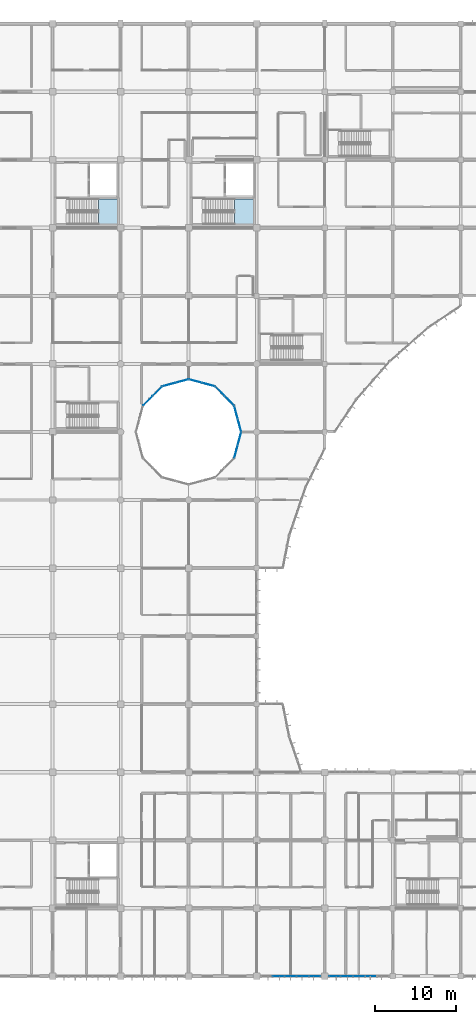
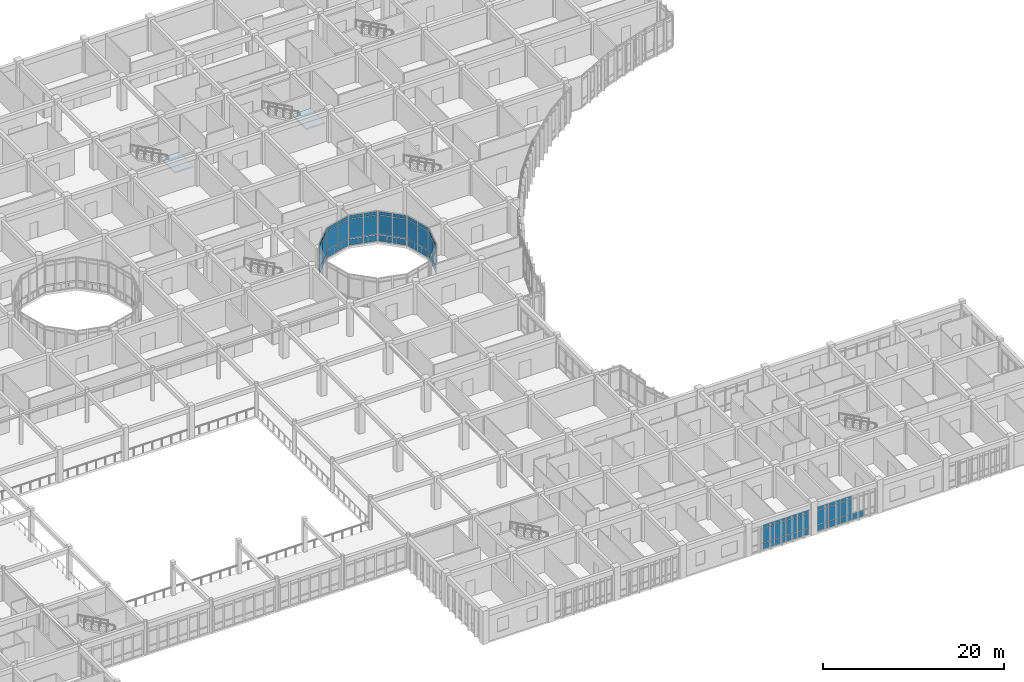
# One storey, part 83 of 144: 58 plates, 2 slabs, 10 elements without a shape of their own.
"""IFC4 building model written with IfcOpenShell, lengths in metres."""

import ifcopenshell
import ifcopenshell.guid

model = None  # the IFC model being written
_history = None  # IfcOwnerHistory: only IFC2X3 demands one
_inside = {}  # id of a spatial element -> (the spatial element, [elements in it])
_under = {}  # id of a project, library or spatial element -> (it, [spatial elements below it])
_declared = {}  # id of a project -> (the project, [libraries it declares])
_typed = {}  # id of a type object -> (the type object, [elements of that type])
_made_of = {}  # id of a material, layer set ... -> (it, [elements and type objects made of it])


def new_model(schema):
    """Start an empty IFC model of exactly this schema.

    Asked for "IFC4X3", IfcOpenShell would pick the latest addendum, in which some entities
    have other attributes; the version numbers below select the first issue.
    IFC2X3 requires an IfcOwnerHistory on every rooted entity: one is made here for all.
    """
    global model, _history
    if schema == "IFC4X3":
        model = ifcopenshell.file(schema_version=(4, 3, 0, 0))
    else:
        model = ifcopenshell.file(schema=schema)
    _inside.clear()
    _under.clear()
    _declared.clear()
    _typed.clear()
    _made_of.clear()
    _history = None
    if model.schema == "IFC2X3":
        org = make("IfcOrganization", Name="unknown")
        user = make(
            "IfcPersonAndOrganization",
            ThePerson=make("IfcPerson", FamilyName="unknown"),
            TheOrganization=org,
        )
        app = make(
            "IfcApplication",
            ApplicationDeveloper=org,
            Version="unknown",
            ApplicationFullName="unknown",
            ApplicationIdentifier="unknown",
        )
        _history = make(
            "IfcOwnerHistory",
            OwningUser=user,
            OwningApplication=app,
            ChangeAction="ADDED",
            CreationDate=0,
        )
    return model


def make(cls, **values):
    """One entity of the class cls with the attributes given. An attribute that is None is left unset."""
    return model.create_entity(
        cls, **{name: value for name, value in values.items() if value is not None}
    )


def rooted(cls, **values):
    """An entity with a GlobalId (a new one), such as an element, a storey or a relation."""
    return make(cls, GlobalId=ifcopenshell.guid.new(), OwnerHistory=_history, **values)


def si_unit(unit_type, name, prefix=None):
    """IfcSIUnit, for example si_unit("LENGTHUNIT", "METRE", prefix="MILLI")."""
    return make("IfcSIUnit", UnitType=unit_type, Prefix=prefix, Name=name)


def assignment(units):
    """IfcUnitAssignment: the units of a project."""
    return None if units is None else make("IfcUnitAssignment", Units=units)


def point(xyz):
    """IfcCartesianPoint."""
    return None if xyz is None else make("IfcCartesianPoint", Coordinates=xyz)


def direction(xyz):
    """IfcDirection."""
    return None if xyz is None else make("IfcDirection", DirectionRatios=xyz)


def frame(location, z_axis=None, x_axis=None):
    """IfcAxis2Placement3D, a coordinate frame: its origin and axes. An axis left out is left unset."""
    return make(
        "IfcAxis2Placement3D",
        Location=point(location),
        Axis=direction(z_axis),
        RefDirection=direction(x_axis),
    )


def frame_2d(location, x_axis=None):
    """IfcAxis2Placement2D, a coordinate frame in the plane: its origin and x axis."""
    return make(
        "IfcAxis2Placement2D", Location=point(location), RefDirection=direction(x_axis)
    )


def origin():
    """The frame at (0, 0, 0) with its axes left unset."""
    return frame((0.0, 0.0, 0.0))


def origin_2d():
    """The frame at (0, 0) in the plane with its x axis left unset."""
    return frame_2d((0.0, 0.0))


def place(relative_to, where):
    """IfcLocalPlacement: puts the frame where relative to a parent placement (None: the world)."""
    return make(
        "IfcLocalPlacement", PlacementRelTo=relative_to, RelativePlacement=where
    )


def context(
    kind, dimensions, precision=None, world=None, true_north=None, identifier=None
):
    """IfcGeometricRepresentationContext, for example the 3D "Model" context."""
    return make(
        "IfcGeometricRepresentationContext",
        ContextIdentifier=identifier,
        ContextType=kind,
        CoordinateSpaceDimension=dimensions,
        Precision=precision,
        WorldCoordinateSystem=world,
        TrueNorth=true_north,
    )


def subcontext(parent, identifier, kind, view, scale=None):
    """IfcGeometricRepresentationSubContext, for example "Body" below "Model"."""
    return make(
        "IfcGeometricRepresentationSubContext",
        ContextIdentifier=identifier,
        ContextType=kind,
        ParentContext=parent,
        TargetScale=scale,
        TargetView=view,
    )


def project(units=None, contexts=None):
    """IfcProject with its units and contexts."""
    return rooted(
        "IfcProject",
        Name="project",
        RepresentationContexts=contexts,
        UnitsInContext=assignment(units),
    )


def spatial(cls, under=None, at=None, **own):
    """A site, building, storey or space (cls), placed at a placement, below another one or the project."""
    s = rooted(cls, ObjectPlacement=at, **own)
    if under is not None:
        _under.setdefault(under.id(), (under, []))[1].append(s)
    return s


def polyline(points):
    """IfcPolyline through the points."""
    return make("IfcPolyline", Points=[point(p) for p in points])


def profile(cls, at=None, kind="AREA", **sizes):
    """A parametric profile (cls). Its sizes go by their IFC names, for example OverallWidth=200.0."""
    return make(cls, ProfileType=kind, Position=at, **sizes)


def rectangle(**sizes):
    """IfcRectangleProfileDef."""
    return profile("IfcRectangleProfileDef", **sizes)


def outline(outer, holes=None, kind="AREA"):
    """IfcArbitraryClosedProfileDef: a profile drawn as a closed curve; with holes, ...WithVoids."""
    if holes is None:
        return make("IfcArbitraryClosedProfileDef", ProfileType=kind, OuterCurve=outer)
    return make(
        "IfcArbitraryProfileDefWithVoids",
        ProfileType=kind,
        OuterCurve=outer,
        InnerCurves=holes,
    )


def extrude(swept, where, along, depth):
    """IfcExtrudedAreaSolid: the profile swept, set in the frame where, extruded along a direction by depth."""
    return make(
        "IfcExtrudedAreaSolid",
        SweptArea=swept,
        Position=where,
        ExtrudedDirection=direction(along),
        Depth=depth,
    )


def shape(context_of_items, identifier, shape_type, items):
    """IfcShapeRepresentation: the items that make up one representation, for example the "Body"."""
    return make(
        "IfcShapeRepresentation",
        ContextOfItems=context_of_items,
        RepresentationIdentifier=identifier,
        RepresentationType=shape_type,
        Items=items,
    )


def material(Name=None, Category=None):
    """IfcMaterial."""
    return make("IfcMaterial", Name=Name, Category=Category)


def layer(
    of_material, thickness, ventilated=None, Name=None, Category=None, Priority=None
):
    """IfcMaterialLayer: one layer of a wall or slab, of a material (None: an air gap)."""
    return make(
        "IfcMaterialLayer",
        Material=of_material,
        LayerThickness=thickness,
        IsVentilated=ventilated,
        Name=Name,
        Category=Category,
        Priority=Priority,
    )


def layer_set(layers, Name=None):
    """IfcMaterialLayerSet."""
    return make("IfcMaterialLayerSet", MaterialLayers=layers, LayerSetName=Name)


def made_of(thing, what):
    """Note that an element or type object is made of a material, layer set ...; save() writes the relation."""
    if what is not None:
        _made_of.setdefault(what.id(), (what, []))[1].append(thing)
    return thing


def type_object(cls, material=None, **own):
    """A type object (cls), such as IfcWallType, which elements share."""
    return made_of(rooted(cls, **own), material)


def element(
    cls,
    number,
    at=None,
    inside=None,
    cuts=None,
    type_object=None,
    material=None,
    context=None,
    identifier="Body",
    shape_type=None,
    held_by="IfcProductDefinitionShape",
    body=None,
    shapes=None,
    **own,
):
    """One element of the class cls, such as IfcWall. Its Tag is "e" and its number.

    at: its placement. inside: the storey or other place that contains it. cuts: it is an
    opening in that element (IfcRelVoidsElement). A single representation is given by context,
    identifier, shape_type and body (its items); several are given by shapes. held_by: the class
    of the entity that holds the representations. save() writes the other relations.
    """
    e = rooted(cls, Tag="e%d" % number, ObjectPlacement=at, **own)
    if body is not None:
        shapes = [shape(context, identifier, shape_type, body)]
    if shapes is not None:
        e.Representation = make(held_by, Representations=shapes)
    if inside is not None:
        _inside.setdefault(inside.id(), (inside, []))[1].append(e)
    if cuts is not None:
        rooted(
            "IfcRelVoidsElement", RelatingBuildingElement=cuts, RelatedOpeningElement=e
        )
    if type_object is not None:
        _typed.setdefault(type_object.id(), (type_object, []))[1].append(e)
    return made_of(e, material)


def aggregate(whole, parts):
    """IfcRelAggregates: a whole, such as a stair, and the parts it consists of."""
    return rooted("IfcRelAggregates", RelatingObject=whole, RelatedObjects=parts)


def save(model, path):
    """Write the relations noted so far, then the file.

    IfcRelAggregates (storeys below a building ...), IfcRelContainedInSpatialStructure (elements
    in a storey), IfcRelDefinesByType, IfcRelAssociatesMaterial and IfcRelDeclares: one each for
    every whole, place, type object, material and project.
    """
    for whole, parts in _under.values():
        aggregate(whole, parts)
    for where, things in _inside.values():
        rooted(
            "IfcRelContainedInSpatialStructure",
            RelatedElements=things,
            RelatingStructure=where,
        )
    for kind, things in _typed.values():
        rooted("IfcRelDefinesByType", RelatedObjects=things, RelatingType=kind)
    for what, things in _made_of.values():
        rooted("IfcRelAssociatesMaterial", RelatedObjects=things, RelatingMaterial=what)
    for by, libraries in _declared.values():
        rooted("IfcRelDeclares", RelatingContext=by, RelatedDefinitions=libraries)
    model.write(path)


model = new_model("IFC4")

# Units and contexts
model_context = context("Model", 3, precision=1e-05, world=origin(), true_north=direction((0.0, 1.0)))
body_context = subcontext(model_context, "Body", "Model", "MODEL_VIEW")
ifc_project = project(units=[si_unit("LENGTHUNIT", "METRE"), si_unit("AREAUNIT", "SQUARE_METRE"), si_unit("VOLUMEUNIT", "CUBIC_METRE"), si_unit("PLANEANGLEUNIT", "RADIAN"), si_unit("MASSUNIT", "GRAM", prefix="KILO")], contexts=[model_context])

# Site, building, storey
site_placement = place(None, origin())
site = spatial("IfcSite", under=ifc_project, at=site_placement, CompositionType="ELEMENT")
building_placement = place(site_placement, origin())
building = spatial("IfcBuilding", under=site, at=building_placement, Name="Bramfleet General Hospital", CompositionType="ELEMENT")
storey_placement = place(building_placement, frame((0.0, 0.0, 4.800048828125)))
storey = spatial("IfcBuildingStorey", under=building, at=storey_placement, Name="L01", CompositionType="ELEMENT", Elevation=4.800048828125)

# Curtain wall, plates
ifc_material_1 = material(Name="Anodised aluminium and low-E triple glazing", Category="aluminium")
ifc_layer_1 = layer(ifc_material_1, 0.179931640625, Name="CWT-CW-01")
ifc_layer_set_1 = layer_set([ifc_layer_1], Name="Anodised aluminium and low-E triple glazing")
curtain_wall_type_1 = type_object("IfcCurtainWallType", Name="CWT-CW-01", PredefinedType="USERDEFINED", material=ifc_layer_set_1)
curtain_wall_1_placement = place(storey_placement, origin())
curtain_wall_1 = element("IfcCurtainWall", 1, at=curtain_wall_1_placement, inside=storey, type_object=curtain_wall_type_1, Name="L01 Curtain Wall 73", ObjectType="Unitised curtain wall", PredefinedType="USERDEFINED")
ifc_material_2 = material(Name="Low-E laminated safety glass", Category="glass")
ifc_layer_2 = layer(ifc_material_2, 0.028076171875, Name="CWP-GLZ-1")
ifc_layer_set_2 = layer_set([ifc_layer_2], Name="Low-E laminated safety glass")
plate_type_1 = type_object("IfcPlateType", Name="CWP-GLZ-1", PredefinedType="CURTAIN_PANEL", material=ifc_layer_set_2)
plate_1_placement = place(storey_placement, frame((140.125, 0.0, 0.06494140625), z_axis=(0.0, 0.0, 1.0), x_axis=(-1.0, 0.0, 0.0)))
plate_1 = element("IfcPlate", 2, at=plate_1_placement, type_object=plate_type_1, Name="CW-01 panel 2.1", PredefinedType="CURTAIN_PANEL", context=body_context, shape_type="SweptSolid", body=[
    extrude(rectangle(XDim=1.429931640625, YDim=0.028076171875, at=origin_2d()), origin(), (0.0, 0.0, 1.0), 0.802490234375),
])
plate_2_placement = place(storey_placement, frame((138.625, 0.0, 0.06494140625), z_axis=(0.0, 0.0, 1.0), x_axis=(-1.0, 0.0, 0.0)))
plate_2 = element("IfcPlate", 3, at=plate_2_placement, type_object=plate_type_1, Name="CW-01 panel 3.1", PredefinedType="CURTAIN_PANEL", context=body_context, shape_type="SweptSolid", body=[
    extrude(rectangle(XDim=1.429931640625, YDim=0.028076171875, at=origin_2d()), origin(), (0.0, 0.0, 1.0), 0.802490234375),
])
plate_3_placement = place(storey_placement, frame((138.625, 0.0, 0.9326171875), z_axis=(0.0, 0.0, 1.0), x_axis=(-1.0, 0.0, 0.0)))
plate_3 = element("IfcPlate", 4, at=plate_3_placement, type_object=plate_type_1, Name="CW-01 panel 3.2", PredefinedType="CURTAIN_PANEL", context=body_context, shape_type="SweptSolid", body=[
    extrude(rectangle(XDim=1.429931640625, YDim=0.028076171875, at=origin_2d()), origin(), (0.0, 0.0, 1.0), 1.925048828125),
])
plate_4_placement = place(storey_placement, frame((138.625, 0.0, 2.92236328125), z_axis=(0.0, 0.0, 1.0), x_axis=(-1.0, 0.0, 0.0)))
plate_4 = element("IfcPlate", 5, at=plate_4_placement, type_object=plate_type_1, Name="CW-01 panel 3.3", PredefinedType="CURTAIN_PANEL", context=body_context, shape_type="SweptSolid", body=[
    extrude(rectangle(XDim=1.429931640625, YDim=0.028076171875, at=origin_2d()), origin(), (0.0, 0.0, 1.0), 0.452392578125),
])
plate_5_placement = place(storey_placement, frame((137.125, 0.0, 0.06494140625), z_axis=(0.0, 0.0, 1.0), x_axis=(-1.0, 0.0, 0.0)))
plate_5 = element("IfcPlate", 6, at=plate_5_placement, type_object=plate_type_1, Name="CW-01 panel 4.1", PredefinedType="CURTAIN_PANEL", context=body_context, shape_type="SweptSolid", body=[
    extrude(rectangle(XDim=1.429931640625, YDim=0.028076171875, at=origin_2d()), origin(), (0.0, 0.0, 1.0), 0.802490234375),
])
plate_6_placement = place(storey_placement, frame((137.125, 0.0, 0.9326171875), z_axis=(0.0, 0.0, 1.0), x_axis=(-1.0, 0.0, 0.0)))
plate_6 = element("IfcPlate", 7, at=plate_6_placement, type_object=plate_type_1, Name="CW-01 panel 4.2", PredefinedType="CURTAIN_PANEL", context=body_context, shape_type="SweptSolid", body=[
    extrude(rectangle(XDim=1.429931640625, YDim=0.028076171875, at=origin_2d()), origin(), (0.0, 0.0, 1.0), 1.925048828125),
])
plate_7_placement = place(storey_placement, frame((137.125, 0.0, 2.92236328125), z_axis=(0.0, 0.0, 1.0), x_axis=(-1.0, 0.0, 0.0)))
plate_7 = element("IfcPlate", 8, at=plate_7_placement, type_object=plate_type_1, Name="CW-01 panel 4.3", PredefinedType="CURTAIN_PANEL", context=body_context, shape_type="SweptSolid", body=[
    extrude(rectangle(XDim=1.429931640625, YDim=0.028076171875, at=origin_2d()), origin(), (0.0, 0.0, 1.0), 0.452392578125),
])
plate_8_placement = place(storey_placement, frame((135.642578125, 0.0, 0.06494140625), z_axis=(0.0, 0.0, 1.0), x_axis=(-1.0, 0.0, 0.0)))
plate_8 = element("IfcPlate", 9, at=plate_8_placement, type_object=plate_type_1, Name="CW-01 panel 5.1", PredefinedType="CURTAIN_PANEL", context=body_context, shape_type="SweptSolid", body=[
    extrude(rectangle(XDim=1.39501953125, YDim=0.028076171875, at=origin_2d()), origin(), (0.0, 0.0, 1.0), 0.802490234375),
])
plate_9_placement = place(storey_placement, frame((135.642578125, 0.0, 0.9326171875), z_axis=(0.0, 0.0, 1.0), x_axis=(-1.0, 0.0, 0.0)))
plate_9 = element("IfcPlate", 10, at=plate_9_placement, type_object=plate_type_1, Name="CW-01 panel 5.2", PredefinedType="CURTAIN_PANEL", context=body_context, shape_type="SweptSolid", body=[
    extrude(rectangle(XDim=1.39501953125, YDim=0.028076171875, at=origin_2d()), origin(), (0.0, 0.0, 1.0), 1.925048828125),
])
plate_10_placement = place(storey_placement, frame((135.642578125, 0.0, 2.92236328125), z_axis=(0.0, 0.0, 1.0), x_axis=(-1.0, 0.0, 0.0)))
plate_10 = element("IfcPlate", 11, at=plate_10_placement, type_object=plate_type_1, Name="CW-01 panel 5.3", PredefinedType="CURTAIN_PANEL", context=body_context, shape_type="SweptSolid", body=[
    extrude(rectangle(XDim=1.39501953125, YDim=0.028076171875, at=origin_2d()), origin(), (0.0, 0.0, 1.0), 0.452392578125),
])
aggregate(curtain_wall_1, [plate_1, plate_2, plate_3, plate_4, plate_5, plate_6, plate_7, plate_8, plate_9, plate_10])

ifc_layer_3 = layer(ifc_material_1, 0.179931640625, Name="CWT-CW-02")
ifc_layer_set_3 = layer_set([ifc_layer_3], Name="Anodised aluminium and low-E triple glazing")
curtain_wall_type_2 = type_object("IfcCurtainWallType", Name="CWT-CW-02", PredefinedType="USERDEFINED", material=ifc_layer_set_3)
curtain_wall_2_placement = place(storey_placement, origin())
curtain_wall_2 = element("IfcCurtainWall", 12, at=curtain_wall_2_placement, inside=storey, type_object=curtain_wall_type_2, Name="L01 Curtain Wall 74", ObjectType="Unitised curtain wall", PredefinedType="USERDEFINED")
ifc_layer_4 = layer(ifc_material_2, 0.031982421875, Name="CWP-GLZ-2")
ifc_layer_set_4 = layer_set([ifc_layer_4], Name="Low-E laminated safety glass")
plate_type_2 = type_object("IfcPlateType", Name="CWP-GLZ-2", PredefinedType="CURTAIN_PANEL", material=ifc_layer_set_4)
plate_11_placement = place(storey_placement, frame((133.16259765625, 0.0, 0.06494140625), z_axis=(0.0, 0.0, 1.0), x_axis=(-1.0, 0.0, 0.0)))
plate_11 = element("IfcPlate", 13, at=plate_11_placement, type_object=plate_type_2, Name="CW-02 panel 1.1", PredefinedType="CURTAIN_PANEL", context=body_context, shape_type="SweptSolid", body=[
    extrude(rectangle(XDim=1.385009765625, YDim=0.031982421875, at=origin_2d()), origin(), (0.0, 0.0, 1.0), 0.802490234375),
])
plate_12_placement = place(storey_placement, frame((133.16259765625, 0.0, 0.9326171875), z_axis=(0.0, 0.0, 1.0), x_axis=(-1.0, 0.0, 0.0)))
plate_12 = element("IfcPlate", 14, at=plate_12_placement, type_object=plate_type_2, Name="CW-02 panel 1.2", PredefinedType="CURTAIN_PANEL", context=body_context, shape_type="SweptSolid", body=[
    extrude(rectangle(XDim=1.385009765625, YDim=0.031982421875, at=origin_2d()), origin(), (0.0, 0.0, 1.0), 1.925048828125),
])
plate_13_placement = place(storey_placement, frame((133.16259765625, 0.0, 2.92236328125), z_axis=(0.0, 0.0, 1.0), x_axis=(-1.0, 0.0, 0.0)))
plate_13 = element("IfcPlate", 15, at=plate_13_placement, type_object=plate_type_2, Name="CW-02 panel 1.3", PredefinedType="CURTAIN_PANEL", context=body_context, shape_type="SweptSolid", body=[
    extrude(rectangle(XDim=1.385009765625, YDim=0.031982421875, at=origin_2d()), origin(), (0.0, 0.0, 1.0), 0.452392578125),
])
plate_14_placement = place(storey_placement, frame((131.68994140625, 0.0, 0.06494140625), z_axis=(0.0, 0.0, 1.0), x_axis=(-1.0, 0.0, 0.0)))
plate_14 = element("IfcPlate", 16, at=plate_14_placement, type_object=plate_type_2, Name="CW-02 panel 2.1", PredefinedType="CURTAIN_PANEL", context=body_context, shape_type="SweptSolid", body=[
    extrude(rectangle(XDim=1.419921875, YDim=0.031982421875, at=origin_2d()), origin(), (0.0, 0.0, 1.0), 0.802490234375),
])
plate_15_placement = place(storey_placement, frame((131.68994140625, 0.0, 0.9326171875), z_axis=(0.0, 0.0, 1.0), x_axis=(-1.0, 0.0, 0.0)))
plate_15 = element("IfcPlate", 17, at=plate_15_placement, type_object=plate_type_2, Name="CW-02 panel 2.2", PredefinedType="CURTAIN_PANEL", context=body_context, shape_type="SweptSolid", body=[
    extrude(rectangle(XDim=1.419921875, YDim=0.031982421875, at=origin_2d()), origin(), (0.0, 0.0, 1.0), 1.925048828125),
])
plate_16_placement = place(storey_placement, frame((131.68994140625, 0.0, 2.92236328125), z_axis=(0.0, 0.0, 1.0), x_axis=(-1.0, 0.0, 0.0)))
plate_16 = element("IfcPlate", 18, at=plate_16_placement, type_object=plate_type_2, Name="CW-02 panel 2.3", PredefinedType="CURTAIN_PANEL", context=body_context, shape_type="SweptSolid", body=[
    extrude(rectangle(XDim=1.419921875, YDim=0.031982421875, at=origin_2d()), origin(), (0.0, 0.0, 1.0), 0.452392578125),
])
plate_17_placement = place(storey_placement, frame((130.199951171875, 0.0, 0.06494140625), z_axis=(0.0, 0.0, 1.0), x_axis=(-1.0, 0.0, 0.0)))
plate_17 = element("IfcPlate", 19, at=plate_17_placement, type_object=plate_type_2, Name="CW-02 panel 3.1", PredefinedType="CURTAIN_PANEL", context=body_context, shape_type="SweptSolid", body=[
    extrude(rectangle(XDim=1.419921875, YDim=0.031982421875, at=origin_2d()), origin(), (0.0, 0.0, 1.0), 0.802490234375),
])
plate_18_placement = place(storey_placement, frame((130.199951171875, 0.0, 0.9326171875), z_axis=(0.0, 0.0, 1.0), x_axis=(-1.0, 0.0, 0.0)))
plate_18 = element("IfcPlate", 20, at=plate_18_placement, type_object=plate_type_2, Name="CW-02 panel 3.2", PredefinedType="CURTAIN_PANEL", context=body_context, shape_type="SweptSolid", body=[
    extrude(rectangle(XDim=1.419921875, YDim=0.031982421875, at=origin_2d()), origin(), (0.0, 0.0, 1.0), 1.925048828125),
])
plate_19_placement = place(storey_placement, frame((130.199951171875, 0.0, 2.92236328125), z_axis=(0.0, 0.0, 1.0), x_axis=(-1.0, 0.0, 0.0)))
plate_19 = element("IfcPlate", 21, at=plate_19_placement, type_object=plate_type_2, Name="CW-02 panel 3.3", PredefinedType="CURTAIN_PANEL", context=body_context, shape_type="SweptSolid", body=[
    extrude(rectangle(XDim=1.419921875, YDim=0.031982421875, at=origin_2d()), origin(), (0.0, 0.0, 1.0), 0.452392578125),
])
plate_20_placement = place(storey_placement, frame((128.7099609375, 0.0, 0.06494140625), z_axis=(0.0, 0.0, 1.0), x_axis=(-1.0, 0.0, 0.0)))
plate_20 = element("IfcPlate", 22, at=plate_20_placement, type_object=plate_type_2, Name="CW-02 panel 4.1", PredefinedType="CURTAIN_PANEL", context=body_context, shape_type="SweptSolid", body=[
    extrude(rectangle(XDim=1.419921875, YDim=0.031982421875, at=origin_2d()), origin(), (0.0, 0.0, 1.0), 0.802490234375),
])
plate_21_placement = place(storey_placement, frame((128.7099609375, 0.0, 0.9326171875), z_axis=(0.0, 0.0, 1.0), x_axis=(-1.0, 0.0, 0.0)))
plate_21 = element("IfcPlate", 23, at=plate_21_placement, type_object=plate_type_2, Name="CW-02 panel 4.2", PredefinedType="CURTAIN_PANEL", context=body_context, shape_type="SweptSolid", body=[
    extrude(rectangle(XDim=1.419921875, YDim=0.031982421875, at=origin_2d()), origin(), (0.0, 0.0, 1.0), 1.925048828125),
])
plate_22_placement = place(storey_placement, frame((128.7099609375, 0.0, 2.92236328125), z_axis=(0.0, 0.0, 1.0), x_axis=(-1.0, 0.0, 0.0)))
plate_22 = element("IfcPlate", 24, at=plate_22_placement, type_object=plate_type_2, Name="CW-02 panel 4.3", PredefinedType="CURTAIN_PANEL", context=body_context, shape_type="SweptSolid", body=[
    extrude(rectangle(XDim=1.419921875, YDim=0.031982421875, at=origin_2d()), origin(), (0.0, 0.0, 1.0), 0.452392578125),
])
aggregate(curtain_wall_2, [plate_11, plate_12, plate_13, plate_14, plate_15, plate_16, plate_17, plate_18, plate_19, plate_20, plate_21, plate_22])

ifc_layer_5 = layer(ifc_material_1, 0.179931640625, Name="CWT-CW-14")
ifc_layer_set_5 = layer_set([ifc_layer_5], Name="Anodised aluminium and low-E triple glazing")
curtain_wall_type_3 = type_object("IfcCurtainWallType", Name="CWT-CW-14", PredefinedType="USERDEFINED", material=ifc_layer_set_5)
curtain_wall_3_placement = place(storey_placement, origin())
curtain_wall_3 = element("IfcCurtainWall", 25, at=curtain_wall_3_placement, inside=storey, type_object=curtain_wall_type_3, Name="L01 East Laboratory Light Court Curtain Wall 6.1", ObjectType="Stick curtain wall", PredefinedType="USERDEFINED")
plate_23_placement = place(storey_placement, frame((123.451171875, 64.779296875, 0.06494140625), z_axis=(0.0, 0.0, 1.0), x_axis=(0.258864833085, 0.965913556273, 0.0)))
plate_23 = element("IfcPlate", 26, at=plate_23_placement, type_object=plate_type_2, Name="CW-14 panel 1.1", PredefinedType="CURTAIN_PANEL", context=body_context, shape_type="SweptSolid", body=[
    extrude(rectangle(XDim=1.577392578125, YDim=0.031982421875, at=origin_2d()), origin(), (0.0, 0.0, 1.0), 0.802490234375),
])
plate_24_placement = place(storey_placement, frame((123.451171875, 64.779296875, 0.932373046875), z_axis=(0.0, 0.0, 1.0), x_axis=(0.258864833085, 0.965913556273, 0.0)))
plate_24 = element("IfcPlate", 27, at=plate_24_placement, type_object=plate_type_2, Name="CW-14 panel 1.2", PredefinedType="CURTAIN_PANEL", context=body_context, shape_type="SweptSolid", body=[
    extrude(rectangle(XDim=1.577392578125, YDim=0.031982421875, at=origin_2d()), origin(), (0.0, 0.0, 1.0), 2.625),
])
plate_25_placement = place(storey_placement, frame((123.451171875, 64.779296875, 3.62255859375), z_axis=(0.0, 0.0, 1.0), x_axis=(0.258864833085, 0.965913556273, 0.0)))
plate_25 = element("IfcPlate", 28, at=plate_25_placement, type_object=plate_type_2, Name="CW-14 panel 1.3", PredefinedType="CURTAIN_PANEL", context=body_context, shape_type="SweptSolid", body=[
    extrude(rectangle(XDim=1.577392578125, YDim=0.031982421875, at=origin_2d()), origin(), (0.0, 0.0, 1.0), 0.452392578125),
])
plate_26_placement = place(storey_placement, frame((123.877685546875, 66.37060546875, 0.06494140625), z_axis=(0.0, 0.0, 1.0), x_axis=(0.258864833085, 0.965913556273, 0.0)))
plate_26 = element("IfcPlate", 29, at=plate_26_placement, type_object=plate_type_2, Name="CW-14 panel 2.1", PredefinedType="CURTAIN_PANEL", context=body_context, shape_type="SweptSolid", body=[
    extrude(rectangle(XDim=1.577392578125, YDim=0.031982421875, at=origin_2d()), origin(), (0.0, 0.0, 1.0), 0.802490234375),
])
plate_27_placement = place(storey_placement, frame((123.877685546875, 66.37060546875, 0.932373046875), z_axis=(0.0, 0.0, 1.0), x_axis=(0.258864833085, 0.965913556273, 0.0)))
plate_27 = element("IfcPlate", 30, at=plate_27_placement, type_object=plate_type_2, Name="CW-14 panel 2.2", PredefinedType="CURTAIN_PANEL", context=body_context, shape_type="SweptSolid", body=[
    extrude(rectangle(XDim=1.577392578125, YDim=0.031982421875, at=origin_2d()), origin(), (0.0, 0.0, 1.0), 2.625),
])
plate_28_placement = place(storey_placement, frame((123.877685546875, 66.37060546875, 3.62255859375), z_axis=(0.0, 0.0, 1.0), x_axis=(0.258864833085, 0.965913556273, 0.0)))
plate_28 = element("IfcPlate", 31, at=plate_28_placement, type_object=plate_type_2, Name="CW-14 panel 2.3", PredefinedType="CURTAIN_PANEL", context=body_context, shape_type="SweptSolid", body=[
    extrude(rectangle(XDim=1.577392578125, YDim=0.031982421875, at=origin_2d()), origin(), (0.0, 0.0, 1.0), 0.452392578125),
])
aggregate(curtain_wall_3, [plate_23, plate_24, plate_25, plate_26, plate_27, plate_28])

ifc_layer_6 = layer(ifc_material_1, 0.179931640625, Name="CWT-CW-15")
ifc_layer_set_6 = layer_set([ifc_layer_6], Name="Anodised aluminium and low-E triple glazing")
curtain_wall_type_4 = type_object("IfcCurtainWallType", Name="CWT-CW-15", PredefinedType="USERDEFINED", material=ifc_layer_set_6)
curtain_wall_4_placement = place(storey_placement, origin())
curtain_wall_4 = element("IfcCurtainWall", 32, at=curtain_wall_4_placement, inside=storey, type_object=curtain_wall_type_4, Name="L01 East Laboratory Light Court Curtain Wall 7.1", ObjectType="Stick curtain wall", PredefinedType="USERDEFINED")
plate_29_placement = place(storey_placement, frame((123.877685546875, 68.029296875, 0.06494140625), z_axis=(0.0, 0.0, 1.0), x_axis=(-0.258864833085, 0.965913556273, 0.0)))
plate_29 = element("IfcPlate", 33, at=plate_29_placement, type_object=plate_type_2, Name="CW-15 panel 1.1", PredefinedType="CURTAIN_PANEL", context=body_context, shape_type="SweptSolid", body=[
    extrude(rectangle(XDim=1.577392578125, YDim=0.031982421875, at=origin_2d()), origin(), (0.0, 0.0, 1.0), 0.802490234375),
])
plate_30_placement = place(storey_placement, frame((123.877685546875, 68.029296875, 0.932373046875), z_axis=(0.0, 0.0, 1.0), x_axis=(-0.258864833085, 0.965913556273, 0.0)))
plate_30 = element("IfcPlate", 34, at=plate_30_placement, type_object=plate_type_2, Name="CW-15 panel 1.2", PredefinedType="CURTAIN_PANEL", context=body_context, shape_type="SweptSolid", body=[
    extrude(rectangle(XDim=1.577392578125, YDim=0.031982421875, at=origin_2d()), origin(), (0.0, 0.0, 1.0), 2.625),
])
plate_31_placement = place(storey_placement, frame((123.877685546875, 68.029296875, 3.62255859375), z_axis=(0.0, 0.0, 1.0), x_axis=(-0.258864833085, 0.965913556273, 0.0)))
plate_31 = element("IfcPlate", 35, at=plate_31_placement, type_object=plate_type_2, Name="CW-15 panel 1.3", PredefinedType="CURTAIN_PANEL", context=body_context, shape_type="SweptSolid", body=[
    extrude(rectangle(XDim=1.577392578125, YDim=0.031982421875, at=origin_2d()), origin(), (0.0, 0.0, 1.0), 0.452392578125),
])
plate_32_placement = place(storey_placement, frame((123.451171875, 69.62060546875, 0.06494140625), z_axis=(0.0, 0.0, 1.0), x_axis=(-0.258864833085, 0.965913556273, 0.0)))
plate_32 = element("IfcPlate", 36, at=plate_32_placement, type_object=plate_type_2, Name="CW-15 panel 2.1", PredefinedType="CURTAIN_PANEL", context=body_context, shape_type="SweptSolid", body=[
    extrude(rectangle(XDim=1.577392578125, YDim=0.031982421875, at=origin_2d()), origin(), (0.0, 0.0, 1.0), 0.802490234375),
])
plate_33_placement = place(storey_placement, frame((123.451171875, 69.62060546875, 0.932373046875), z_axis=(0.0, 0.0, 1.0), x_axis=(-0.258864833085, 0.965913556273, 0.0)))
plate_33 = element("IfcPlate", 37, at=plate_33_placement, type_object=plate_type_2, Name="CW-15 panel 2.2", PredefinedType="CURTAIN_PANEL", context=body_context, shape_type="SweptSolid", body=[
    extrude(rectangle(XDim=1.577392578125, YDim=0.031982421875, at=origin_2d()), origin(), (0.0, 0.0, 1.0), 2.625),
])
plate_34_placement = place(storey_placement, frame((123.451171875, 69.62060546875, 3.62255859375), z_axis=(0.0, 0.0, 1.0), x_axis=(-0.258864833085, 0.965913556273, 0.0)))
plate_34 = element("IfcPlate", 38, at=plate_34_placement, type_object=plate_type_2, Name="CW-15 panel 2.3", PredefinedType="CURTAIN_PANEL", context=body_context, shape_type="SweptSolid", body=[
    extrude(rectangle(XDim=1.577392578125, YDim=0.031982421875, at=origin_2d()), origin(), (0.0, 0.0, 1.0), 0.452392578125),
])
aggregate(curtain_wall_4, [plate_29, plate_30, plate_31, plate_32, plate_33, plate_34])

ifc_layer_7 = layer(ifc_material_1, 0.179931640625, Name="CWT-CW-16")
ifc_layer_set_7 = layer_set([ifc_layer_7], Name="Anodised aluminium and low-E triple glazing")
curtain_wall_type_5 = type_object("IfcCurtainWallType", Name="CWT-CW-16", PredefinedType="USERDEFINED", material=ifc_layer_set_7)
curtain_wall_5_placement = place(storey_placement, origin())
curtain_wall_5 = element("IfcCurtainWall", 39, at=curtain_wall_5_placement, inside=storey, type_object=curtain_wall_type_5, Name="L01 East Laboratory Light Court Curtain Wall 8.1", ObjectType="Stick curtain wall", PredefinedType="USERDEFINED")
plate_35_placement = place(storey_placement, frame((122.621826171875, 71.05712890625, 0.06494140625), z_axis=(0.0, 0.0, 1.0), x_axis=(-0.707106781187, 0.707106781187, 0.0)))
plate_35 = element("IfcPlate", 40, at=plate_35_placement, type_object=plate_type_2, Name="CW-16 panel 1.1", PredefinedType="CURTAIN_PANEL", context=body_context, shape_type="SweptSolid", body=[
    extrude(rectangle(XDim=1.5771484375, YDim=0.031982421875, at=origin_2d()), origin(), (0.0, 0.0, 1.0), 0.802490234375),
])
plate_36_placement = place(storey_placement, frame((122.621826171875, 71.05712890625, 0.932373046875), z_axis=(0.0, 0.0, 1.0), x_axis=(-0.707106781187, 0.707106781187, 0.0)))
plate_36 = element("IfcPlate", 41, at=plate_36_placement, type_object=plate_type_2, Name="CW-16 panel 1.2", PredefinedType="CURTAIN_PANEL", context=body_context, shape_type="SweptSolid", body=[
    extrude(rectangle(XDim=1.5771484375, YDim=0.031982421875, at=origin_2d()), origin(), (0.0, 0.0, 1.0), 2.625),
])
plate_37_placement = place(storey_placement, frame((122.621826171875, 71.05712890625, 3.62255859375), z_axis=(0.0, 0.0, 1.0), x_axis=(-0.707106781187, 0.707106781187, 0.0)))
plate_37 = element("IfcPlate", 42, at=plate_37_placement, type_object=plate_type_2, Name="CW-16 panel 1.3", PredefinedType="CURTAIN_PANEL", context=body_context, shape_type="SweptSolid", body=[
    extrude(rectangle(XDim=1.5771484375, YDim=0.031982421875, at=origin_2d()), origin(), (0.0, 0.0, 1.0), 0.452392578125),
])
plate_38_placement = place(storey_placement, frame((121.45703125, 72.221923828125, 0.06494140625), z_axis=(0.0, 0.0, 1.0), x_axis=(-0.707106781187, 0.707106781187, 0.0)))
plate_38 = element("IfcPlate", 43, at=plate_38_placement, type_object=plate_type_2, Name="CW-16 panel 2.1", PredefinedType="CURTAIN_PANEL", context=body_context, shape_type="SweptSolid", body=[
    extrude(rectangle(XDim=1.5771484375, YDim=0.031982421875, at=origin_2d()), origin(), (0.0, 0.0, 1.0), 0.802490234375),
])
plate_39_placement = place(storey_placement, frame((121.45703125, 72.221923828125, 0.932373046875), z_axis=(0.0, 0.0, 1.0), x_axis=(-0.707106781187, 0.707106781187, 0.0)))
plate_39 = element("IfcPlate", 44, at=plate_39_placement, type_object=plate_type_2, Name="CW-16 panel 2.2", PredefinedType="CURTAIN_PANEL", context=body_context, shape_type="SweptSolid", body=[
    extrude(rectangle(XDim=1.5771484375, YDim=0.031982421875, at=origin_2d()), origin(), (0.0, 0.0, 1.0), 2.625),
])
plate_40_placement = place(storey_placement, frame((121.45703125, 72.221923828125, 3.62255859375), z_axis=(0.0, 0.0, 1.0), x_axis=(-0.707106781187, 0.707106781187, 0.0)))
plate_40 = element("IfcPlate", 45, at=plate_40_placement, type_object=plate_type_2, Name="CW-16 panel 2.3", PredefinedType="CURTAIN_PANEL", context=body_context, shape_type="SweptSolid", body=[
    extrude(rectangle(XDim=1.5771484375, YDim=0.031982421875, at=origin_2d()), origin(), (0.0, 0.0, 1.0), 0.452392578125),
])
aggregate(curtain_wall_5, [plate_35, plate_36, plate_37, plate_38, plate_39, plate_40])

ifc_layer_8 = layer(ifc_material_1, 0.179931640625, Name="CWT-CW-17")
ifc_layer_set_8 = layer_set([ifc_layer_8], Name="Anodised aluminium and low-E triple glazing")
curtain_wall_type_6 = type_object("IfcCurtainWallType", Name="CWT-CW-17", PredefinedType="USERDEFINED", material=ifc_layer_set_8)
curtain_wall_6_placement = place(storey_placement, origin())
curtain_wall_6 = element("IfcCurtainWall", 46, at=curtain_wall_6_placement, inside=storey, type_object=curtain_wall_type_6, Name="L01 East Laboratory Light Court Curtain Wall 9.1", ObjectType="Stick curtain wall", PredefinedType="USERDEFINED")
plate_41_placement = place(storey_placement, frame((120.0205078125, 73.05126953125, 0.06494140625), z_axis=(0.0, 0.0, 1.0), x_axis=(-0.965913556273, 0.258864833085, 0.0)))
plate_41 = element("IfcPlate", 47, at=plate_41_placement, type_object=plate_type_2, Name="CW-17 panel 1.1", PredefinedType="CURTAIN_PANEL", context=body_context, shape_type="SweptSolid", body=[
    extrude(rectangle(XDim=1.577392578125, YDim=0.031982421875, at=origin_2d()), origin(), (0.0, 0.0, 1.0), 0.802490234375),
])
plate_42_placement = place(storey_placement, frame((120.0205078125, 73.05126953125, 0.932373046875), z_axis=(0.0, 0.0, 1.0), x_axis=(-0.965913556273, 0.258864833085, 0.0)))
plate_42 = element("IfcPlate", 48, at=plate_42_placement, type_object=plate_type_2, Name="CW-17 panel 1.2", PredefinedType="CURTAIN_PANEL", context=body_context, shape_type="SweptSolid", body=[
    extrude(rectangle(XDim=1.577392578125, YDim=0.031982421875, at=origin_2d()), origin(), (0.0, 0.0, 1.0), 2.625),
])
plate_43_placement = place(storey_placement, frame((120.0205078125, 73.05126953125, 3.62255859375), z_axis=(0.0, 0.0, 1.0), x_axis=(-0.965913556273, 0.258864833085, 0.0)))
plate_43 = element("IfcPlate", 49, at=plate_43_placement, type_object=plate_type_2, Name="CW-17 panel 1.3", PredefinedType="CURTAIN_PANEL", context=body_context, shape_type="SweptSolid", body=[
    extrude(rectangle(XDim=1.577392578125, YDim=0.031982421875, at=origin_2d()), origin(), (0.0, 0.0, 1.0), 0.452392578125),
])
plate_44_placement = place(storey_placement, frame((118.429443359375, 73.477783203125, 0.06494140625), z_axis=(0.0, 0.0, 1.0), x_axis=(-0.965913556273, 0.258864833085, 0.0)))
plate_44 = element("IfcPlate", 50, at=plate_44_placement, type_object=plate_type_2, Name="CW-17 panel 2.1", PredefinedType="CURTAIN_PANEL", context=body_context, shape_type="SweptSolid", body=[
    extrude(rectangle(XDim=1.577392578125, YDim=0.031982421875, at=origin_2d()), origin(), (0.0, 0.0, 1.0), 0.802490234375),
])
plate_45_placement = place(storey_placement, frame((118.429443359375, 73.477783203125, 0.932373046875), z_axis=(0.0, 0.0, 1.0), x_axis=(-0.965913556273, 0.258864833085, 0.0)))
plate_45 = element("IfcPlate", 51, at=plate_45_placement, type_object=plate_type_2, Name="CW-17 panel 2.2", PredefinedType="CURTAIN_PANEL", context=body_context, shape_type="SweptSolid", body=[
    extrude(rectangle(XDim=1.577392578125, YDim=0.031982421875, at=origin_2d()), origin(), (0.0, 0.0, 1.0), 2.625),
])
plate_46_placement = place(storey_placement, frame((118.429443359375, 73.477783203125, 3.62255859375), z_axis=(0.0, 0.0, 1.0), x_axis=(-0.965913556273, 0.258864833085, 0.0)))
plate_46 = element("IfcPlate", 52, at=plate_46_placement, type_object=plate_type_2, Name="CW-17 panel 2.3", PredefinedType="CURTAIN_PANEL", context=body_context, shape_type="SweptSolid", body=[
    extrude(rectangle(XDim=1.577392578125, YDim=0.031982421875, at=origin_2d()), origin(), (0.0, 0.0, 1.0), 0.452392578125),
])
aggregate(curtain_wall_6, [plate_41, plate_42, plate_43, plate_44, plate_45, plate_46])

ifc_layer_9 = layer(ifc_material_1, 0.179931640625, Name="CWT-CW-18")
ifc_layer_set_9 = layer_set([ifc_layer_9], Name="Anodised aluminium and low-E triple glazing")
curtain_wall_type_7 = type_object("IfcCurtainWallType", Name="CWT-CW-18", PredefinedType="USERDEFINED", material=ifc_layer_set_9)
curtain_wall_7_placement = place(storey_placement, origin())
curtain_wall_7 = element("IfcCurtainWall", 53, at=curtain_wall_7_placement, inside=storey, type_object=curtain_wall_type_7, Name="L01 East Laboratory Light Court Curtain Wall 10.1", ObjectType="Stick curtain wall", PredefinedType="USERDEFINED")
plate_47_placement = place(storey_placement, frame((116.7705078125, 73.477783203125, 0.06494140625), z_axis=(0.0, 0.0, 1.0), x_axis=(-0.965913556273, -0.258864833085, 0.0)))
plate_47 = element("IfcPlate", 54, at=plate_47_placement, type_object=plate_type_2, Name="CW-18 panel 1.1", PredefinedType="CURTAIN_PANEL", context=body_context, shape_type="SweptSolid", body=[
    extrude(rectangle(XDim=1.577392578125, YDim=0.031982421875, at=origin_2d()), origin(), (0.0, 0.0, 1.0), 0.802490234375),
])
plate_48_placement = place(storey_placement, frame((116.7705078125, 73.477783203125, 0.932373046875), z_axis=(0.0, 0.0, 1.0), x_axis=(-0.965913556273, -0.258864833085, 0.0)))
plate_48 = element("IfcPlate", 55, at=plate_48_placement, type_object=plate_type_2, Name="CW-18 panel 1.2", PredefinedType="CURTAIN_PANEL", context=body_context, shape_type="SweptSolid", body=[
    extrude(rectangle(XDim=1.577392578125, YDim=0.031982421875, at=origin_2d()), origin(), (0.0, 0.0, 1.0), 2.625),
])
plate_49_placement = place(storey_placement, frame((116.7705078125, 73.477783203125, 3.62255859375), z_axis=(0.0, 0.0, 1.0), x_axis=(-0.965913556273, -0.258864833085, 0.0)))
plate_49 = element("IfcPlate", 56, at=plate_49_placement, type_object=plate_type_2, Name="CW-18 panel 1.3", PredefinedType="CURTAIN_PANEL", context=body_context, shape_type="SweptSolid", body=[
    extrude(rectangle(XDim=1.577392578125, YDim=0.031982421875, at=origin_2d()), origin(), (0.0, 0.0, 1.0), 0.452392578125),
])
plate_50_placement = place(storey_placement, frame((115.179443359375, 73.05126953125, 0.06494140625), z_axis=(0.0, 0.0, 1.0), x_axis=(-0.965913556273, -0.258864833085, 0.0)))
plate_50 = element("IfcPlate", 57, at=plate_50_placement, type_object=plate_type_2, Name="CW-18 panel 2.1", PredefinedType="CURTAIN_PANEL", context=body_context, shape_type="SweptSolid", body=[
    extrude(rectangle(XDim=1.577392578125, YDim=0.031982421875, at=origin_2d()), origin(), (0.0, 0.0, 1.0), 0.802490234375),
])
plate_51_placement = place(storey_placement, frame((115.179443359375, 73.05126953125, 0.932373046875), z_axis=(0.0, 0.0, 1.0), x_axis=(-0.965913556273, -0.258864833085, 0.0)))
plate_51 = element("IfcPlate", 58, at=plate_51_placement, type_object=plate_type_2, Name="CW-18 panel 2.2", PredefinedType="CURTAIN_PANEL", context=body_context, shape_type="SweptSolid", body=[
    extrude(rectangle(XDim=1.577392578125, YDim=0.031982421875, at=origin_2d()), origin(), (0.0, 0.0, 1.0), 2.625),
])
plate_52_placement = place(storey_placement, frame((115.179443359375, 73.05126953125, 3.62255859375), z_axis=(0.0, 0.0, 1.0), x_axis=(-0.965913556273, -0.258864833085, 0.0)))
plate_52 = element("IfcPlate", 59, at=plate_52_placement, type_object=plate_type_2, Name="CW-18 panel 2.3", PredefinedType="CURTAIN_PANEL", context=body_context, shape_type="SweptSolid", body=[
    extrude(rectangle(XDim=1.577392578125, YDim=0.031982421875, at=origin_2d()), origin(), (0.0, 0.0, 1.0), 0.452392578125),
])
aggregate(curtain_wall_7, [plate_47, plate_48, plate_49, plate_50, plate_51, plate_52])

ifc_layer_10 = layer(ifc_material_1, 0.179931640625, Name="CWT-CW-11")
ifc_layer_set_10 = layer_set([ifc_layer_10], Name="Anodised aluminium and low-E triple glazing")
curtain_wall_type_8 = type_object("IfcCurtainWallType", Name="CWT-CW-11", PredefinedType="USERDEFINED", material=ifc_layer_set_10)
curtain_wall_8_placement = place(storey_placement, origin())
curtain_wall_8 = element("IfcCurtainWall", 60, at=curtain_wall_8_placement, inside=storey, type_object=curtain_wall_type_8, Name="L01 East Laboratory Light Court Curtain Wall 11.1", ObjectType="Stick curtain wall", PredefinedType="USERDEFINED")
plate_53_placement = place(storey_placement, frame((113.742919921875, 72.221923828125, 0.06494140625), z_axis=(0.0, 0.0, 1.0), x_axis=(-0.707106781187, -0.707106781187, 0.0)))
plate_53 = element("IfcPlate", 61, at=plate_53_placement, type_object=plate_type_2, Name="CW-11 panel 1.1", PredefinedType="CURTAIN_PANEL", context=body_context, shape_type="SweptSolid", body=[
    extrude(rectangle(XDim=1.5771484375, YDim=0.031982421875, at=origin_2d()), origin(), (0.0, 0.0, 1.0), 0.802490234375),
])
plate_54_placement = place(storey_placement, frame((113.742919921875, 72.221923828125, 0.932373046875), z_axis=(0.0, 0.0, 1.0), x_axis=(-0.707106781187, -0.707106781187, 0.0)))
plate_54 = element("IfcPlate", 62, at=plate_54_placement, type_object=plate_type_2, Name="CW-11 panel 1.2", PredefinedType="CURTAIN_PANEL", context=body_context, shape_type="SweptSolid", body=[
    extrude(rectangle(XDim=1.5771484375, YDim=0.031982421875, at=origin_2d()), origin(), (0.0, 0.0, 1.0), 2.625),
])
plate_55_placement = place(storey_placement, frame((113.742919921875, 72.221923828125, 3.62255859375), z_axis=(0.0, 0.0, 1.0), x_axis=(-0.707106781187, -0.707106781187, 0.0)))
plate_55 = element("IfcPlate", 63, at=plate_55_placement, type_object=plate_type_2, Name="CW-11 panel 1.3", PredefinedType="CURTAIN_PANEL", context=body_context, shape_type="SweptSolid", body=[
    extrude(rectangle(XDim=1.5771484375, YDim=0.031982421875, at=origin_2d()), origin(), (0.0, 0.0, 1.0), 0.452392578125),
])
plate_56_placement = place(storey_placement, frame((112.578125, 71.05712890625, 0.06494140625), z_axis=(0.0, 0.0, 1.0), x_axis=(-0.707106781187, -0.707106781187, 0.0)))
plate_56 = element("IfcPlate", 64, at=plate_56_placement, type_object=plate_type_2, Name="CW-11 panel 2.1", PredefinedType="CURTAIN_PANEL", context=body_context, shape_type="SweptSolid", body=[
    extrude(rectangle(XDim=1.5771484375, YDim=0.031982421875, at=origin_2d()), origin(), (0.0, 0.0, 1.0), 0.802490234375),
])
plate_57_placement = place(storey_placement, frame((112.578125, 71.05712890625, 0.932373046875), z_axis=(0.0, 0.0, 1.0), x_axis=(-0.707106781187, -0.707106781187, 0.0)))
plate_57 = element("IfcPlate", 65, at=plate_57_placement, type_object=plate_type_2, Name="CW-11 panel 2.2", PredefinedType="CURTAIN_PANEL", context=body_context, shape_type="SweptSolid", body=[
    extrude(rectangle(XDim=1.5771484375, YDim=0.031982421875, at=origin_2d()), origin(), (0.0, 0.0, 1.0), 2.625),
])
plate_58_placement = place(storey_placement, frame((112.578125, 71.05712890625, 3.62255859375), z_axis=(0.0, 0.0, 1.0), x_axis=(-0.707106781187, -0.707106781187, 0.0)))
plate_58 = element("IfcPlate", 66, at=plate_58_placement, type_object=plate_type_2, Name="CW-11 panel 2.3", PredefinedType="CURTAIN_PANEL", context=body_context, shape_type="SweptSolid", body=[
    extrude(rectangle(XDim=1.5771484375, YDim=0.031982421875, at=origin_2d()), origin(), (0.0, 0.0, 1.0), 0.452392578125),
])
aggregate(curtain_wall_8, [plate_53, plate_54, plate_55, plate_56, plate_57, plate_58])

# Stair, slab
ifc_material_3 = material(Name="Concrete C35/45", Category="concrete")
stair_type = type_object("IfcStairType", Name="STR-T2", PredefinedType="HALF_TURN_STAIR", material=ifc_material_3)
stair_1_placement = place(storey_placement, origin())
stair_1 = element("IfcStair", 67, at=stair_1_placement, inside=storey, type_object=stair_type, Name="L01 Core C4 (Central Spine & Helipad Trauma) Protected Escape Stair", PredefinedType="HALF_TURN_STAIR")
ifc_layer_11 = layer(ifc_material_3, 0.199951171875, Name="SL-LND-200")
ifc_layer_set_11 = layer_set([ifc_layer_11], Name="Concrete C35/45")
slab_type = type_object("IfcSlabType", Name="SL-LND-200", PredefinedType="LANDING", material=ifc_layer_set_11)
slab_1_placement = place(storey_placement, frame((0.0, 0.0, 2.050048828125)))
slab_1 = element("IfcSlab", 68, at=slab_1_placement, type_object=slab_type, Name="ST-C4 landing 1", PredefinedType="LANDING", context=body_context, shape_type="SweptSolid", body=[
    extrude(outline(polyline([(106.47509765625, 92.820068359375), (108.860107421875, 92.820068359375), (108.860107421875, 95.97998046875), (106.47509765625, 95.97998046875), (106.47509765625, 92.820068359375)])), origin(), (0.0, 0.0, 1.0), 0.199951171875),
])
aggregate(stair_1, [slab_1])

stair_2_placement = place(storey_placement, origin())
stair_2 = element("IfcStair", 69, at=stair_2_placement, inside=storey, type_object=stair_type, Name="L01 Core C6 (North-East Ward & Helipad) Protected Escape Stair", PredefinedType="HALF_TURN_STAIR")
slab_2_placement = place(storey_placement, frame((0.0, 0.0, 2.050048828125)))
slab_2 = element("IfcSlab", 70, at=slab_2_placement, type_object=slab_type, Name="ST-C6 landing 1", PredefinedType="LANDING", context=body_context, shape_type="SweptSolid", body=[
    extrude(outline(polyline([(123.27490234375, 92.820068359375), (125.659912109375, 92.820068359375), (125.659912109375, 95.97998046875), (123.27490234375, 95.97998046875), (123.27490234375, 92.820068359375)])), origin(), (0.0, 0.0, 1.0), 0.199951171875),
])
aggregate(stair_2, [slab_2])

save(model, "model.ifc")
